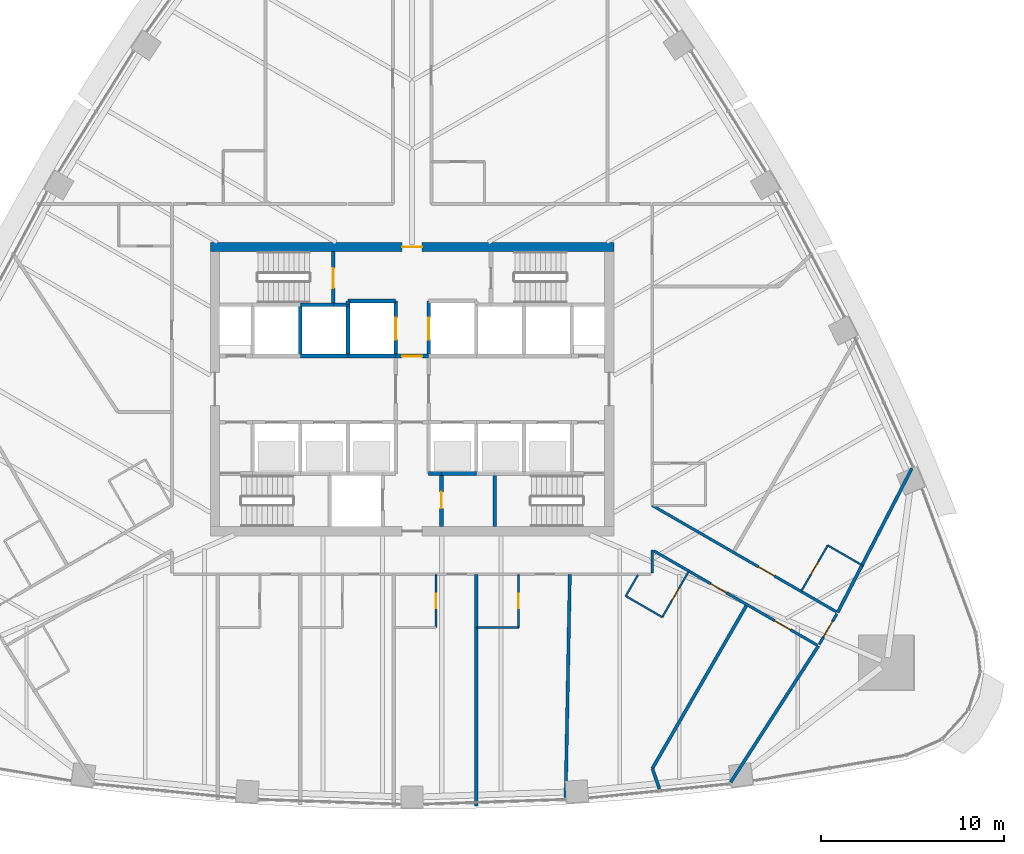
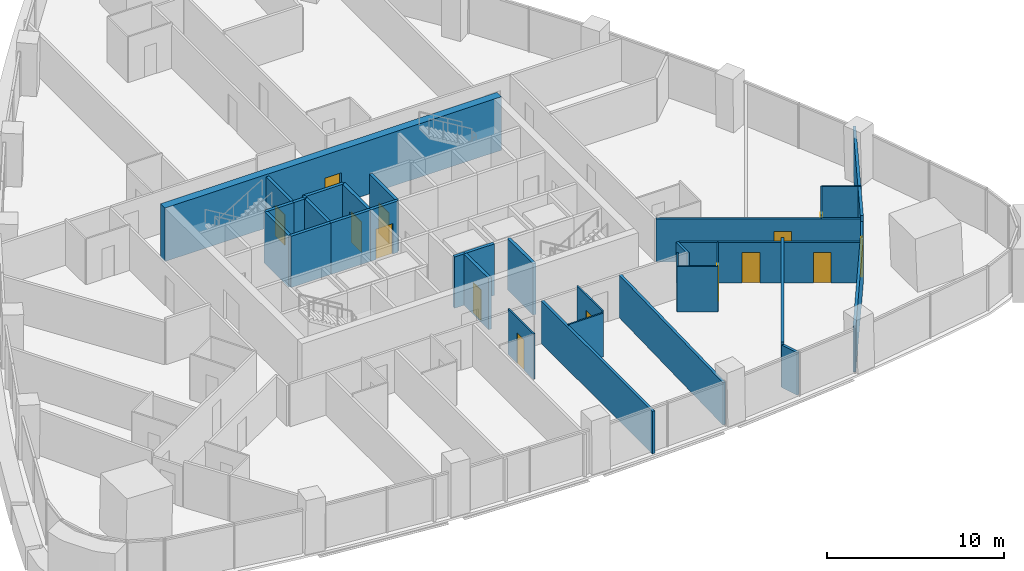
# One storey, part 11 of 17: 35 walls, 14 doors, 14 openings.
"""IFC4 building model written with IfcOpenShell, lengths in metres."""

import ifcopenshell
import ifcopenshell.guid

model = None  # the IFC model being written
_history = None  # IfcOwnerHistory: only IFC2X3 demands one
_inside = {}  # id of a spatial element -> (the spatial element, [elements in it])
_under = {}  # id of a project, library or spatial element -> (it, [spatial elements below it])
_declared = {}  # id of a project -> (the project, [libraries it declares])
_typed = {}  # id of a type object -> (the type object, [elements of that type])
_made_of = {}  # id of a material, layer set ... -> (it, [elements and type objects made of it])


def new_model(schema):
    """Start an empty IFC model of exactly this schema.

    Asked for "IFC4X3", IfcOpenShell would pick the latest addendum, in which some entities
    have other attributes; the version numbers below select the first issue.
    IFC2X3 requires an IfcOwnerHistory on every rooted entity: one is made here for all.
    """
    global model, _history
    if schema == "IFC4X3":
        model = ifcopenshell.file(schema_version=(4, 3, 0, 0))
    else:
        model = ifcopenshell.file(schema=schema)
    _inside.clear()
    _under.clear()
    _declared.clear()
    _typed.clear()
    _made_of.clear()
    _history = None
    if model.schema == "IFC2X3":
        org = make("IfcOrganization", Name="unknown")
        user = make(
            "IfcPersonAndOrganization",
            ThePerson=make("IfcPerson", FamilyName="unknown"),
            TheOrganization=org,
        )
        app = make(
            "IfcApplication",
            ApplicationDeveloper=org,
            Version="unknown",
            ApplicationFullName="unknown",
            ApplicationIdentifier="unknown",
        )
        _history = make(
            "IfcOwnerHistory",
            OwningUser=user,
            OwningApplication=app,
            ChangeAction="ADDED",
            CreationDate=0,
        )
    return model


def make(cls, **values):
    """One entity of the class cls with the attributes given. An attribute that is None is left unset."""
    return model.create_entity(
        cls, **{name: value for name, value in values.items() if value is not None}
    )


def rooted(cls, **values):
    """An entity with a GlobalId (a new one), such as an element, a storey or a relation."""
    return make(cls, GlobalId=ifcopenshell.guid.new(), OwnerHistory=_history, **values)


def si_unit(unit_type, name, prefix=None):
    """IfcSIUnit, for example si_unit("LENGTHUNIT", "METRE", prefix="MILLI")."""
    return make("IfcSIUnit", UnitType=unit_type, Prefix=prefix, Name=name)


def assignment(units):
    """IfcUnitAssignment: the units of a project."""
    return None if units is None else make("IfcUnitAssignment", Units=units)


def point(xyz):
    """IfcCartesianPoint."""
    return None if xyz is None else make("IfcCartesianPoint", Coordinates=xyz)


def direction(xyz):
    """IfcDirection."""
    return None if xyz is None else make("IfcDirection", DirectionRatios=xyz)


def frame(location, z_axis=None, x_axis=None):
    """IfcAxis2Placement3D, a coordinate frame: its origin and axes. An axis left out is left unset."""
    return make(
        "IfcAxis2Placement3D",
        Location=point(location),
        Axis=direction(z_axis),
        RefDirection=direction(x_axis),
    )


def frame_2d(location, x_axis=None):
    """IfcAxis2Placement2D, a coordinate frame in the plane: its origin and x axis."""
    return make(
        "IfcAxis2Placement2D", Location=point(location), RefDirection=direction(x_axis)
    )


def origin():
    """The frame at (0, 0, 0) with its axes left unset."""
    return frame((0.0, 0.0, 0.0))


def place(relative_to, where):
    """IfcLocalPlacement: puts the frame where relative to a parent placement (None: the world)."""
    return make(
        "IfcLocalPlacement", PlacementRelTo=relative_to, RelativePlacement=where
    )


def context(
    kind, dimensions, precision=None, world=None, true_north=None, identifier=None
):
    """IfcGeometricRepresentationContext, for example the 3D "Model" context."""
    return make(
        "IfcGeometricRepresentationContext",
        ContextIdentifier=identifier,
        ContextType=kind,
        CoordinateSpaceDimension=dimensions,
        Precision=precision,
        WorldCoordinateSystem=world,
        TrueNorth=true_north,
    )


def subcontext(parent, identifier, kind, view, scale=None):
    """IfcGeometricRepresentationSubContext, for example "Body" below "Model"."""
    return make(
        "IfcGeometricRepresentationSubContext",
        ContextIdentifier=identifier,
        ContextType=kind,
        ParentContext=parent,
        TargetScale=scale,
        TargetView=view,
    )


def project(units=None, contexts=None):
    """IfcProject with its units and contexts."""
    return rooted(
        "IfcProject",
        Name="project",
        RepresentationContexts=contexts,
        UnitsInContext=assignment(units),
    )


def spatial(cls, under=None, at=None, **own):
    """A site, building, storey or space (cls), placed at a placement, below another one or the project."""
    s = rooted(cls, ObjectPlacement=at, **own)
    if under is not None:
        _under.setdefault(under.id(), (under, []))[1].append(s)
    return s


def profile(cls, at=None, kind="AREA", **sizes):
    """A parametric profile (cls). Its sizes go by their IFC names, for example OverallWidth=200.0."""
    return make(cls, ProfileType=kind, Position=at, **sizes)


def rectangle(**sizes):
    """IfcRectangleProfileDef."""
    return profile("IfcRectangleProfileDef", **sizes)


def extrude(swept, where, along, depth):
    """IfcExtrudedAreaSolid: the profile swept, set in the frame where, extruded along a direction by depth."""
    return make(
        "IfcExtrudedAreaSolid",
        SweptArea=swept,
        Position=where,
        ExtrudedDirection=direction(along),
        Depth=depth,
    )


def shape(context_of_items, identifier, shape_type, items):
    """IfcShapeRepresentation: the items that make up one representation, for example the "Body"."""
    return make(
        "IfcShapeRepresentation",
        ContextOfItems=context_of_items,
        RepresentationIdentifier=identifier,
        RepresentationType=shape_type,
        Items=items,
    )


def material(Name=None, Category=None):
    """IfcMaterial."""
    return make("IfcMaterial", Name=Name, Category=Category)


def layer(
    of_material, thickness, ventilated=None, Name=None, Category=None, Priority=None
):
    """IfcMaterialLayer: one layer of a wall or slab, of a material (None: an air gap)."""
    return make(
        "IfcMaterialLayer",
        Material=of_material,
        LayerThickness=thickness,
        IsVentilated=ventilated,
        Name=Name,
        Category=Category,
        Priority=Priority,
    )


def layer_set(layers, Name=None):
    """IfcMaterialLayerSet."""
    return make("IfcMaterialLayerSet", MaterialLayers=layers, LayerSetName=Name)


def made_of(thing, what):
    """Note that an element or type object is made of a material, layer set ...; save() writes the relation."""
    if what is not None:
        _made_of.setdefault(what.id(), (what, []))[1].append(thing)
    return thing


def type_object(cls, material=None, **own):
    """A type object (cls), such as IfcWallType, which elements share."""
    return made_of(rooted(cls, **own), material)


def element(
    cls,
    number,
    at=None,
    inside=None,
    cuts=None,
    type_object=None,
    material=None,
    context=None,
    identifier="Body",
    shape_type=None,
    held_by="IfcProductDefinitionShape",
    body=None,
    shapes=None,
    **own,
):
    """One element of the class cls, such as IfcWall. Its Tag is "e" and its number.

    at: its placement. inside: the storey or other place that contains it. cuts: it is an
    opening in that element (IfcRelVoidsElement). A single representation is given by context,
    identifier, shape_type and body (its items); several are given by shapes. held_by: the class
    of the entity that holds the representations. save() writes the other relations.
    """
    e = rooted(cls, Tag="e%d" % number, ObjectPlacement=at, **own)
    if body is not None:
        shapes = [shape(context, identifier, shape_type, body)]
    if shapes is not None:
        e.Representation = make(held_by, Representations=shapes)
    if inside is not None:
        _inside.setdefault(inside.id(), (inside, []))[1].append(e)
    if cuts is not None:
        rooted(
            "IfcRelVoidsElement", RelatingBuildingElement=cuts, RelatedOpeningElement=e
        )
    if type_object is not None:
        _typed.setdefault(type_object.id(), (type_object, []))[1].append(e)
    return made_of(e, material)


def fill(opening, filler):
    """IfcRelFillsElement: the door or window that sits in an opening."""
    return rooted(
        "IfcRelFillsElement",
        RelatingOpeningElement=opening,
        RelatedBuildingElement=filler,
    )


def aggregate(whole, parts):
    """IfcRelAggregates: a whole, such as a stair, and the parts it consists of."""
    return rooted("IfcRelAggregates", RelatingObject=whole, RelatedObjects=parts)


def save(model, path):
    """Write the relations noted so far, then the file.

    IfcRelAggregates (storeys below a building ...), IfcRelContainedInSpatialStructure (elements
    in a storey), IfcRelDefinesByType, IfcRelAssociatesMaterial and IfcRelDeclares: one each for
    every whole, place, type object, material and project.
    """
    for whole, parts in _under.values():
        aggregate(whole, parts)
    for where, things in _inside.values():
        rooted(
            "IfcRelContainedInSpatialStructure",
            RelatedElements=things,
            RelatingStructure=where,
        )
    for kind, things in _typed.values():
        rooted("IfcRelDefinesByType", RelatedObjects=things, RelatingType=kind)
    for what, things in _made_of.values():
        rooted("IfcRelAssociatesMaterial", RelatedObjects=things, RelatingMaterial=what)
    for by, libraries in _declared.values():
        rooted("IfcRelDeclares", RelatingContext=by, RelatedDefinitions=libraries)
    model.write(path)


model = new_model("IFC4")

# Units and contexts
model_context = context("Model", 3, precision=1e-05, world=origin(), true_north=direction((0.0, 1.0)))
body_context = subcontext(model_context, "Body", "Model", "MODEL_VIEW")
ifc_project = project(units=[si_unit("LENGTHUNIT", "METRE"), si_unit("AREAUNIT", "SQUARE_METRE"), si_unit("VOLUMEUNIT", "CUBIC_METRE"), si_unit("PLANEANGLEUNIT", "RADIAN"), si_unit("MASSUNIT", "GRAM", prefix="KILO")], contexts=[model_context])

# Site, building, storey
site_placement = place(None, origin())
site = spatial("IfcSite", under=ifc_project, at=site_placement, CompositionType="ELEMENT")
building_placement = place(site_placement, origin())
building = spatial("IfcBuilding", under=site, at=building_placement, Name="Sierra Prisma Convention Tower", CompositionType="ELEMENT")
storey_placement = place(building_placement, frame((0.0, 0.0, 92.39990234375)))
storey = spatial("IfcBuildingStorey", under=building, at=storey_placement, Name="L19", CompositionType="ELEMENT", Elevation=92.39990234375)

# Wall, opening, door
ifc_material_1 = material(Name="Gypsum board partition", Category="gypsum")
ifc_layer_1 = layer(ifc_material_1, 0.10009765625)
ifc_layer_set_1 = layer_set([ifc_layer_1], Name="Bathroom partition 100")
wall_type_1 = type_object("IfcWallType", Name="Bathroom partition 100", PredefinedType="PARTITIONING", material=ifc_layer_set_1)
wall_1_placement = place(storey_placement, frame((1.300048828125, -10.1298828125, 0.0), z_axis=(0.0, 0.0, 1.0), x_axis=(0.0, -1.0, 0.0)))
wall_1 = element("IfcWall", 1, at=wall_1_placement, inside=storey, type_object=wall_type_1, Name="Partition L19 bath 19", PredefinedType="PARTITIONING", context=body_context, shape_type="SweptSolid", body=[
    extrude(rectangle(XDim=2.8701171875, YDim=0.10009765625, at=frame_2d((1.43505859375, 0.0))), origin(), (0.0, 0.0, 1.0), 3.150146484375),
])
opening_1_placement = place(wall_1_placement, frame((1.034912109375, 0.0, 0.0)))
opening_1 = element("IfcOpeningElement", 2, at=opening_1_placement, cuts=wall_1, Name="Opening L19-D010", PredefinedType="OPENING", context=body_context, shape_type="SweptSolid", body=[
    extrude(rectangle(XDim=0.800048828125, YDim=2.10009765625, at=frame_2d((0.39990234375, 1.050048828125))), frame((0.0, 0.050048828125, 0.0), z_axis=(0.0, -1.0, 0.0), x_axis=(1.0, 0.0, 0.0)), (0.0, 0.0, 1.0), 0.10009765625),
])
ifc_material_2 = material(Name="Solid core timber door leaf", Category="wood")
door_type_1 = type_object("IfcDoorType", Name="Door 800x2100 plain", OperationType="SINGLE_SWING_LEFT", PredefinedType="DOOR", material=ifc_material_2)
door_1_placement = place(opening_1_placement, origin())
door_1 = element("IfcDoor", 3, at=door_1_placement, inside=storey, type_object=door_type_1, Name="Door L19 23", OperationType="SINGLE_SWING_LEFT", OverallHeight=2.10009765625, OverallWidth=0.800048828125, PredefinedType="DOOR", context=body_context, shape_type="SweptSolid", body=[
    extrude(rectangle(XDim=0.800048828125, YDim=2.10009765625, at=frame_2d((0.39990234375, 1.050048828125))), frame((0.0, 0.02490234375, 0.0), z_axis=(0.0, -1.0, 0.0), x_axis=(1.0, 0.0, 0.0)), (0.0, 0.0, 1.0), 0.050048828125),
])
fill(opening_1, door_1)

wall_2_placement = place(storey_placement, frame((5.800048828125, -10.1298828125, 0.0), z_axis=(0.0, 0.0, 1.0), x_axis=(0.0, -1.0, 0.0)))
wall_2 = element("IfcWall", 4, at=wall_2_placement, inside=storey, type_object=wall_type_1, Name="Partition L19 bath 23", PredefinedType="PARTITIONING", context=body_context, shape_type="SweptSolid", body=[
    extrude(rectangle(XDim=2.8701171875, YDim=0.10009765625, at=frame_2d((1.43505859375, 0.0))), origin(), (0.0, 0.0, 1.0), 3.150146484375),
])
opening_2_placement = place(wall_2_placement, frame((1.034912109375, 0.0, 0.0)))
opening_2 = element("IfcOpeningElement", 5, at=opening_2_placement, cuts=wall_2, Name="Opening L19-D011", PredefinedType="OPENING", context=body_context, shape_type="SweptSolid", body=[
    extrude(rectangle(XDim=0.800048828125, YDim=2.10009765625, at=frame_2d((0.39990234375, 1.050048828125))), frame((0.0, 0.050048828125, 0.0), z_axis=(0.0, -1.0, 0.0), x_axis=(1.0, 0.0, 0.0)), (0.0, 0.0, 1.0), 0.10009765625),
])
door_2_placement = place(opening_2_placement, origin())
door_2 = element("IfcDoor", 6, at=door_2_placement, inside=storey, type_object=door_type_1, Name="Door L19 25", OperationType="SINGLE_SWING_RIGHT", OverallHeight=2.10009765625, OverallWidth=0.800048828125, PredefinedType="DOOR", context=body_context, shape_type="SweptSolid", body=[
    extrude(rectangle(XDim=0.800048828125, YDim=2.10009765625, at=frame_2d((0.39990234375, 1.050048828125))), frame((0.0, 0.02490234375, 0.0), z_axis=(0.0, -1.0, 0.0), x_axis=(1.0, 0.0, 0.0)), (0.0, 0.0, 1.0), 0.050048828125),
])
fill(opening_2, door_2)

# Wall
wall_3_placement = place(storey_placement, frame((5.800048828125, -13.0, 0.0), z_axis=(0.0, 0.0, 1.0), x_axis=(-1.0, 0.0, 0.0)))
element("IfcWall", 7, at=wall_3_placement, inside=storey, type_object=wall_type_1, Name="Partition L19 bath 24", PredefinedType="PARTITIONING", context=body_context, shape_type="SweptSolid", body=[
    extrude(rectangle(XDim=2.27001953125, YDim=0.10009765625, at=frame_2d((1.135009765625, 0.0))), origin(), (0.0, 0.0, 1.0), 3.01708984375),
])

# Wall, opening, door
wall_4_placement = place(storey_placement, frame((15.076904296875, -9.95166015625, 0.0), z_axis=(0.0, 0.0, 1.0), x_axis=(-0.499999802827, -0.866025517622, 0.0)))
wall_4 = element("IfcWall", 8, at=wall_4_placement, inside=storey, type_object=wall_type_1, Name="Partition L19 bath 25", PredefinedType="PARTITIONING", context=body_context, shape_type="SweptSolid", body=[
    extrude(rectangle(XDim=2.8701171875, YDim=0.10009765625, at=frame_2d((1.43505859375, 0.0))), origin(), (0.0, 0.0, 1.0), 2.797119140625),
])
opening_3_placement = place(wall_4_placement, frame((1.034912109375, 0.0, 0.0)))
opening_3 = element("IfcOpeningElement", 9, at=opening_3_placement, cuts=wall_4, Name="Opening L19-D012", PredefinedType="OPENING", context=body_context, shape_type="SweptSolid", body=[
    extrude(rectangle(XDim=0.800048828125, YDim=2.10009765625, at=frame_2d((0.39990234375, 1.050048828125))), frame((0.0, 0.050048828125, 0.0), z_axis=(0.0, -1.0, 0.0), x_axis=(1.0, 0.0, 0.0)), (0.0, 0.0, 1.0), 0.10009765625),
])
door_3_placement = place(opening_3_placement, origin())
door_3 = element("IfcDoor", 10, at=door_3_placement, inside=storey, type_object=door_type_1, Name="Door L19 27", OperationType="SINGLE_SWING_RIGHT", OverallHeight=2.10009765625, OverallWidth=0.800048828125, PredefinedType="DOOR", context=body_context, shape_type="SweptSolid", body=[
    extrude(rectangle(XDim=0.800048828125, YDim=2.10009765625, at=frame_2d((0.39990234375, 1.050048828125))), frame((0.0, 0.02490234375, 0.0), z_axis=(0.0, -1.0, 0.0), x_axis=(1.0, 0.0, 0.0)), (0.0, 0.0, 1.0), 0.050048828125),
])
fill(opening_3, door_3)

# Walls
wall_5_placement = place(storey_placement, frame((13.641845703125, -12.437255859375, 0.0), z_axis=(0.0, 0.0, 1.0), x_axis=(-0.866007057882, 0.500031774688, 0.0)))
element("IfcWall", 11, at=wall_5_placement, inside=storey, type_object=wall_type_1, Name="Partition L19 bath 26", PredefinedType="PARTITIONING", context=body_context, shape_type="SweptSolid", body=[
    extrude(rectangle(XDim=2.300048828125, YDim=0.10009765625, at=frame_2d((1.14990234375, 0.0))), origin(), (0.0, 0.0, 1.0), 3.150146484375),
])
wall_6_placement = place(storey_placement, frame((11.64990234375, -11.287109375, 0.0), z_axis=(0.0, 0.0, 1.0), x_axis=(0.500049290317, 0.865996944136, 0.0)))
element("IfcWall", 12, at=wall_6_placement, inside=storey, type_object=wall_type_1, Name="Partition L19 bath 27", PredefinedType="PARTITIONING", context=body_context, shape_type="SweptSolid", body=[
    extrude(rectangle(XDim=1.336181640625, YDim=0.10009765625, at=frame_2d((0.66796875, 0.0))), origin(), (0.0, 0.0, 1.0), 3.150146484375),
])

# Wall, opening, door
wall_7_placement = place(storey_placement, frame((21.228759765625, -11.009521484375, 0.0), z_axis=(0.0, 0.0, 1.0), x_axis=(0.499999802827, 0.866025517622, 0.0)))
wall_7 = element("IfcWall", 13, at=wall_7_placement, inside=storey, type_object=wall_type_1, Name="Partition L19 bath 31", PredefinedType="PARTITIONING", context=body_context, shape_type="SweptSolid", body=[
    extrude(rectangle(XDim=2.8701171875, YDim=0.10009765625, at=frame_2d((1.43505859375, 0.0))), origin(), (0.0, 0.0, 1.0), 3.150146484375),
])
opening_4_placement = place(wall_7_placement, frame((1.034912109375, 0.0, 0.0)))
opening_4 = element("IfcOpeningElement", 14, at=opening_4_placement, cuts=wall_7, Name="Opening L19-D013", PredefinedType="OPENING", context=body_context, shape_type="SweptSolid", body=[
    extrude(rectangle(XDim=0.800048828125, YDim=2.10009765625, at=frame_2d((0.39990234375, 1.050048828125))), frame((0.0, 0.050048828125, 0.0), z_axis=(0.0, -1.0, 0.0), x_axis=(1.0, 0.0, 0.0)), (0.0, 0.0, 1.0), 0.10009765625),
])
door_4_placement = place(opening_4_placement, origin())
door_4 = element("IfcDoor", 15, at=door_4_placement, inside=storey, type_object=door_type_1, Name="Door L19 31", OperationType="SINGLE_SWING_LEFT", OverallHeight=2.10009765625, OverallWidth=0.800048828125, PredefinedType="DOOR", context=body_context, shape_type="SweptSolid", body=[
    extrude(rectangle(XDim=0.800048828125, YDim=2.10009765625, at=frame_2d((0.39990234375, 1.050048828125))), frame((0.0, 0.02490234375, 0.0), z_axis=(0.0, -1.0, 0.0), x_axis=(1.0, 0.0, 0.0)), (0.0, 0.0, 1.0), 0.050048828125),
])
fill(opening_4, door_4)

# Walls
wall_8_placement = place(storey_placement, frame((22.663818359375, -8.52392578125, 0.0), z_axis=(0.0, 0.0, 1.0), x_axis=(0.866017224141, -0.500014167291, 0.0)))
element("IfcWall", 16, at=wall_8_placement, inside=storey, type_object=wall_type_1, Name="Partition L19 bath 32", PredefinedType="PARTITIONING", context=body_context, shape_type="SweptSolid", body=[
    extrude(rectangle(XDim=2.27001953125, YDim=0.10009765625, at=frame_2d((1.135009765625, 0.0))), origin(), (0.0, 0.0, 1.0), 3.150146484375),
])
ifc_material_3 = material(Name="Concrete C30/37", Category="concrete")
ifc_layer_2 = layer(ifc_material_3, 0.199951171875)
ifc_layer_set_2 = layer_set([ifc_layer_2], Name="Core wall RC 200 C30/37")
wall_type_2 = type_object("IfcWallType", Name="Core wall RC 200 C30/37", PredefinedType="SOLIDWALL", material=ifc_layer_set_2)
wall_9_placement = place(storey_placement, frame((-3.5, 1.800048828125, 0.0), z_axis=(0.0, 0.0, 1.0), x_axis=(-1.0, 0.0, 0.0)))
element("IfcWall", 17, at=wall_9_placement, inside=storey, type_object=wall_type_2, Name="Core wall L19 14", PredefinedType="SOLIDWALL", context=body_context, shape_type="SweptSolid", body=[
    extrude(rectangle(XDim=2.60009765625, YDim=0.199951171875, at=frame_2d((1.300048828125, 0.0))), origin(), (0.0, 0.0, 1.0), 3.550048828125),
])
wall_10_placement = place(storey_placement, frame((-6.10009765625, 1.800048828125, 0.0), z_axis=(0.0, 0.0, 1.0), x_axis=(0.0, 1.0, 0.0)))
element("IfcWall", 18, at=wall_10_placement, inside=storey, type_object=wall_type_2, Name="Core wall L19 15", PredefinedType="SOLIDWALL", context=body_context, shape_type="SweptSolid", body=[
    extrude(rectangle(XDim=2.800048828125, YDim=0.199951171875, at=frame_2d((1.39990234375, 0.0))), origin(), (0.0, 0.0, 1.0), 3.550048828125),
])
wall_11_placement = place(storey_placement, frame((-4.300048828125, 4.60009765625, 0.0), z_axis=(0.0, 0.0, 1.0), x_axis=(-1.0, 0.0, 0.0)))
element("IfcWall", 19, at=wall_11_placement, inside=storey, type_object=wall_type_2, Name="Core wall L19 16", PredefinedType="SOLIDWALL", context=body_context, shape_type="SweptSolid", body=[
    extrude(rectangle(XDim=1.800048828125, YDim=0.199951171875, at=frame_2d((0.89990234375, 0.0))), origin(), (0.0, 0.0, 1.0), 3.550048828125),
])
wall_12_placement = place(storey_placement, frame((-3.5, 4.60009765625, 0.0), z_axis=(0.0, 0.0, 1.0), x_axis=(-1.0, 0.0, 0.0)))
element("IfcWall", 20, at=wall_12_placement, inside=storey, type_object=wall_type_2, Name="Core wall L19 19", PredefinedType="SOLIDWALL", context=body_context, shape_type="SweptSolid", body=[
    extrude(rectangle(XDim=0.800048828125, YDim=0.199951171875, at=frame_2d((0.39990234375, 0.0))), origin(), (0.0, 0.0, 1.0), 3.550048828125),
])

# Wall, opening, door
wall_13_placement = place(storey_placement, frame((-4.300048828125, 4.60009765625, 0.0), z_axis=(0.0, 0.0, 1.0), x_axis=(0.0, 1.0, 0.0)))
wall_13 = element("IfcWall", 21, at=wall_13_placement, inside=storey, type_object=wall_type_2, Name="Core wall L19 20", PredefinedType="SOLIDWALL", context=body_context, shape_type="SweptSolid", body=[
    extrude(rectangle(XDim=2.89990234375, YDim=0.199951171875, at=frame_2d((1.449951171875, 0.0))), origin(), (0.0, 0.0, 1.0), 3.550048828125),
])
opening_5_placement = place(wall_13_placement, frame((0.89990234375, 0.0, 0.0)))
opening_5 = element("IfcOpeningElement", 22, at=opening_5_placement, cuts=wall_13, Name="Opening L19-D034", PredefinedType="OPENING", context=body_context, shape_type="SweptSolid", body=[
    extrude(rectangle(XDim=1.10009765625, YDim=2.10009765625, at=frame_2d((0.550048828125, 1.050048828125))), frame((0.0, 0.10009765625, 0.0), z_axis=(0.0, -1.0, 0.0), x_axis=(1.0, 0.0, 0.0)), (0.0, 0.0, 1.0), 0.199951171875),
])
ifc_material_4 = material(Name="Steel fire door leaf", Category="steel")
door_type_2 = type_object("IfcDoorType", Name="Door 1100x2100 FD90S", OperationType="SINGLE_SWING_LEFT", PredefinedType="DOOR", material=ifc_material_4)
door_5_placement = place(opening_5_placement, origin())
door_5 = element("IfcDoor", 23, at=door_5_placement, inside=storey, type_object=door_type_2, Name="Door L19 53", OperationType="SINGLE_SWING_RIGHT", OverallHeight=2.10009765625, OverallWidth=1.10009765625, PredefinedType="DOOR", context=body_context, shape_type="SweptSolid", body=[
    extrude(rectangle(XDim=1.10009765625, YDim=2.10009765625, at=frame_2d((0.550048828125, 1.050048828125))), frame((0.0, 0.02490234375, 0.0), z_axis=(0.0, -1.0, 0.0), x_axis=(1.0, 0.0, 0.0)), (0.0, 0.0, 1.0), 0.050048828125),
])
fill(opening_5, door_5)

# Walls
wall_14_placement = place(storey_placement, frame((-0.89990234375, 1.800048828125, 0.0), z_axis=(0.0, 0.0, 1.0), x_axis=(-1.0, 0.0, 0.0)))
element("IfcWall", 24, at=wall_14_placement, inside=storey, type_object=wall_type_2, Name="Core wall L19 24", PredefinedType="SOLIDWALL", context=body_context, shape_type="SweptSolid", body=[
    extrude(rectangle(XDim=2.60009765625, YDim=0.199951171875, at=frame_2d((1.300048828125, 0.0))), origin(), (0.0, 0.0, 1.0), 3.550048828125),
])
wall_15_placement = place(storey_placement, frame((-3.5, 4.60009765625, 0.0), z_axis=(0.0, 0.0, 1.0), x_axis=(0.0, -1.0, 0.0)))
element("IfcWall", 25, at=wall_15_placement, inside=storey, type_object=wall_type_2, Name="Core wall L19 25", PredefinedType="SOLIDWALL", context=body_context, shape_type="SweptSolid", body=[
    extrude(rectangle(XDim=2.800048828125, YDim=0.199951171875, at=frame_2d((1.39990234375, 0.0))), origin(), (0.0, 0.0, 1.0), 3.550048828125),
])

# Wall, opening, door
wall_16_placement = place(storey_placement, frame((-0.89990234375, 1.800048828125, 0.0), z_axis=(0.0, 0.0, 1.0), x_axis=(0.0, 1.0, 0.0)))
wall_16 = element("IfcWall", 26, at=wall_16_placement, inside=storey, type_object=wall_type_2, Name="Core wall L19 26", PredefinedType="SOLIDWALL", context=body_context, shape_type="SweptSolid", body=[
    extrude(rectangle(XDim=3.0, YDim=0.199951171875, at=frame_2d((1.5, 0.0))), origin(), (0.0, 0.0, 1.0), 3.550048828125),
])
opening_6_placement = place(wall_16_placement, frame((0.89990234375, 0.0, 0.0)))
opening_6 = element("IfcOpeningElement", 27, at=opening_6_placement, cuts=wall_16, Name="Opening L19-D021", PredefinedType="OPENING", context=body_context, shape_type="SweptSolid", body=[
    extrude(rectangle(XDim=1.199951171875, YDim=2.10009765625, at=frame_2d((0.60009765625, 1.050048828125))), frame((0.0, 0.10009765625, 0.0), z_axis=(0.0, -1.0, 0.0), x_axis=(1.0, 0.0, 0.0)), (0.0, 0.0, 1.0), 0.199951171875),
])
ifc_material_5 = material(Name="Steel fire door leaf", Category="steel")
door_type_3 = type_object("IfcDoorType", Name="Door 1200x2100 EI 90 sliding lift landing", OperationType="SLIDING_TO_LEFT", PredefinedType="DOOR", material=ifc_material_5)
door_6_placement = place(opening_6_placement, origin())
door_6 = element("IfcDoor", 28, at=door_6_placement, inside=storey, type_object=door_type_3, Name="Door L19 40", OperationType="SLIDING_TO_RIGHT", OverallHeight=2.10009765625, OverallWidth=1.199951171875, PredefinedType="DOOR", context=body_context, shape_type="SweptSolid", body=[
    extrude(rectangle(XDim=1.199951171875, YDim=2.10009765625, at=frame_2d((0.60009765625, 1.050048828125))), frame((0.0, 0.02490234375, 0.0), z_axis=(0.0, -1.0, 0.0), x_axis=(1.0, 0.0, 0.0)), (0.0, 0.0, 1.0), 0.050048828125),
])
fill(opening_6, door_6)

# Walls
wall_17_placement = place(storey_placement, frame((-0.89990234375, 4.800048828125, 0.0), z_axis=(0.0, 0.0, 1.0), x_axis=(-1.0, 0.0, 0.0)))
element("IfcWall", 29, at=wall_17_placement, inside=storey, type_object=wall_type_2, Name="Core wall L19 27", PredefinedType="SOLIDWALL", context=body_context, shape_type="SweptSolid", body=[
    extrude(rectangle(XDim=2.60009765625, YDim=0.199951171875, at=frame_2d((1.300048828125, 0.0))), origin(), (0.0, 0.0, 1.0), 3.550048828125),
])
wall_18_placement = place(storey_placement, frame((-3.5, 4.800048828125, 0.0), z_axis=(0.0, 0.0, 1.0), x_axis=(0.0, -1.0, 0.0)))
element("IfcWall", 30, at=wall_18_placement, inside=storey, type_object=wall_type_2, Name="Core wall L19 28", PredefinedType="SOLIDWALL", context=body_context, shape_type="SweptSolid", body=[
    extrude(rectangle(XDim=0.199951171875, YDim=0.199951171875, at=frame_2d((0.10009765625, 0.0))), origin(), (0.0, 0.0, 1.0), 3.550048828125),
])

# Wall, opening, door
wall_19_placement = place(storey_placement, frame((0.89990234375, 1.800048828125, 0.0), z_axis=(0.0, 0.0, 1.0), x_axis=(-1.0, 0.0, 0.0)))
wall_19 = element("IfcWall", 31, at=wall_19_placement, inside=storey, type_object=wall_type_2, Name="Core wall L19 34", PredefinedType="SOLIDWALL", context=body_context, shape_type="SweptSolid", body=[
    extrude(rectangle(XDim=1.7998046875, YDim=0.199951171875, at=frame_2d((0.89990234375, 0.0))), origin(), (0.0, 0.0, 1.0), 3.550048828125),
])
opening_7_placement = place(wall_19_placement, frame((0.35009765625, 0.0, 0.0)))
opening_7 = element("IfcOpeningElement", 32, at=opening_7_placement, cuts=wall_19, Name="Opening L19-D028", PredefinedType="OPENING", context=body_context, shape_type="SweptSolid", body=[
    extrude(rectangle(XDim=1.10009765625, YDim=2.10009765625, at=frame_2d((0.550048828125, 1.050048828125))), frame((0.0, 0.10009765625, 0.0), z_axis=(0.0, -1.0, 0.0), x_axis=(1.0, 0.0, 0.0)), (0.0, 0.0, 1.0), 0.199951171875),
])
ifc_material_6 = material(Name="Steel fire door leaf", Category="steel")
door_type_4 = type_object("IfcDoorType", Name="Door 1100x2100 FD60S", OperationType="SINGLE_SWING_LEFT", PredefinedType="DOOR", material=ifc_material_6)
door_7_placement = place(opening_7_placement, origin())
door_7 = element("IfcDoor", 33, at=door_7_placement, inside=storey, type_object=door_type_4, Name="Door L19 47", OperationType="SINGLE_SWING_RIGHT", OverallHeight=2.10009765625, OverallWidth=1.10009765625, PredefinedType="DOOR", context=body_context, shape_type="SweptSolid", body=[
    extrude(rectangle(XDim=1.10009765625, YDim=2.10009765625, at=frame_2d((0.550048828125, 1.050048828125))), frame((0.0, 0.02490234375, 0.0), z_axis=(0.0, -1.0, 0.0), x_axis=(1.0, 0.0, 0.0)), (0.0, 0.0, 1.0), 0.050048828125),
])
fill(opening_7, door_7)

# Wall
wall_20_placement = place(storey_placement, frame((0.89990234375, -4.60009765625, 0.0), z_axis=(0.0, 0.0, 1.0), x_axis=(1.0, 0.0, 0.0)))
element("IfcWall", 34, at=wall_20_placement, inside=storey, type_object=wall_type_2, Name="Core wall L19 38", PredefinedType="SOLIDWALL", context=body_context, shape_type="SweptSolid", body=[
    extrude(rectangle(XDim=0.7001953125, YDim=0.199951171875, at=frame_2d((0.35009765625, 0.0))), origin(), (0.0, 0.0, 1.0), 3.550048828125),
])

# Wall, opening, door
wall_21_placement = place(storey_placement, frame((0.89990234375, 4.800048828125, 0.0), z_axis=(0.0, 0.0, 1.0), x_axis=(0.0, -1.0, 0.0)))
wall_21 = element("IfcWall", 35, at=wall_21_placement, inside=storey, type_object=wall_type_2, Name="Core wall L19 42", PredefinedType="SOLIDWALL", context=body_context, shape_type="SweptSolid", body=[
    extrude(rectangle(XDim=3.0, YDim=0.199951171875, at=frame_2d((1.5, 0.0))), origin(), (0.0, 0.0, 1.0), 3.550048828125),
])
opening_8_placement = place(wall_21_placement, frame((0.89990234375, 0.0, 0.0)))
opening_8 = element("IfcOpeningElement", 36, at=opening_8_placement, cuts=wall_21, Name="Opening L19-D022", PredefinedType="OPENING", context=body_context, shape_type="SweptSolid", body=[
    extrude(rectangle(XDim=1.199951171875, YDim=2.10009765625, at=frame_2d((0.60009765625, 1.050048828125))), frame((0.0, 0.10009765625, 0.0), z_axis=(0.0, -1.0, 0.0), x_axis=(1.0, 0.0, 0.0)), (0.0, 0.0, 1.0), 0.199951171875),
])
door_8_placement = place(opening_8_placement, origin())
door_8 = element("IfcDoor", 37, at=door_8_placement, inside=storey, type_object=door_type_3, Name="Door L19 41", OperationType="SLIDING_TO_LEFT", OverallHeight=2.10009765625, OverallWidth=1.199951171875, PredefinedType="DOOR", context=body_context, shape_type="SweptSolid", body=[
    extrude(rectangle(XDim=1.199951171875, YDim=2.10009765625, at=frame_2d((0.60009765625, 1.050048828125))), frame((0.0, 0.02490234375, 0.0), z_axis=(0.0, -1.0, 0.0), x_axis=(1.0, 0.0, 0.0)), (0.0, 0.0, 1.0), 0.050048828125),
])
fill(opening_8, door_8)

wall_22_placement = place(storey_placement, frame((1.60009765625, -4.60009765625, 0.0), z_axis=(0.0, 0.0, 1.0), x_axis=(0.0, -1.0, 0.0)))
wall_22 = element("IfcWall", 38, at=wall_22_placement, inside=storey, type_object=wall_type_2, Name="Core wall L19 43", PredefinedType="SOLIDWALL", context=body_context, shape_type="SweptSolid", body=[
    extrude(rectangle(XDim=2.89990234375, YDim=0.199951171875, at=frame_2d((1.449951171875, 0.0))), origin(), (0.0, 0.0, 1.0), 3.550048828125),
])
opening_9_placement = place(wall_22_placement, frame((1.0, 0.0, 0.0)))
opening_9 = element("IfcOpeningElement", 39, at=opening_9_placement, cuts=wall_22, Name="Opening L19-D036", PredefinedType="OPENING", context=body_context, shape_type="SweptSolid", body=[
    extrude(rectangle(XDim=0.89990234375, YDim=2.10009765625, at=frame_2d((0.449951171875, 1.050048828125))), frame((0.0, 0.10009765625, 0.0), z_axis=(0.0, -1.0, 0.0), x_axis=(1.0, 0.0, 0.0)), (0.0, 0.0, 1.0), 0.199951171875),
])
ifc_material_7 = material(Name="Steel fire door leaf", Category="steel")
door_type_5 = type_object("IfcDoorType", Name="Door 900x2100 FD30S", OperationType="SINGLE_SWING_LEFT", PredefinedType="DOOR", material=ifc_material_7)
door_9_placement = place(opening_9_placement, origin())
door_9 = element("IfcDoor", 40, at=door_9_placement, inside=storey, type_object=door_type_5, Name="Door L19 55", OperationType="SINGLE_SWING_LEFT", OverallHeight=2.10009765625, OverallWidth=0.89990234375, PredefinedType="DOOR", context=body_context, shape_type="SweptSolid", body=[
    extrude(rectangle(XDim=0.89990234375, YDim=2.10009765625, at=frame_2d((0.449951171875, 1.050048828125))), frame((0.0, 0.02490234375, 0.0), z_axis=(0.0, -1.0, 0.0), x_axis=(1.0, 0.0, 0.0)), (0.0, 0.0, 1.0), 0.050048828125),
])
fill(opening_9, door_9)

# Walls
wall_23_placement = place(storey_placement, frame((3.5, -4.60009765625, 0.0), z_axis=(0.0, 0.0, 1.0), x_axis=(-1.0, 0.0, 0.0)))
element("IfcWall", 41, at=wall_23_placement, inside=storey, type_object=wall_type_2, Name="Core wall L19 44", PredefinedType="SOLIDWALL", context=body_context, shape_type="SweptSolid", body=[
    extrude(rectangle(XDim=1.89990234375, YDim=0.199951171875, at=frame_2d((0.949951171875, 0.0))), origin(), (0.0, 0.0, 1.0), 3.550048828125),
])
wall_24_placement = place(storey_placement, frame((4.5, -7.5, 0.0), z_axis=(0.0, 0.0, 1.0), x_axis=(0.0, 1.0, 0.0)))
element("IfcWall", 42, at=wall_24_placement, inside=storey, type_object=wall_type_2, Name="Core wall L19 53", PredefinedType="SOLIDWALL", context=body_context, shape_type="SweptSolid", body=[
    extrude(rectangle(XDim=2.89990234375, YDim=0.199951171875, at=frame_2d((1.449951171875, 0.0))), origin(), (0.0, 0.0, 1.0), 3.550048828125),
])

# Wall, opening, door
ifc_material_8 = material(Name="Concrete C60/75", Category="concrete")
ifc_layer_3 = layer(ifc_material_8, 0.5)
ifc_layer_set_3 = layer_set([ifc_layer_3], Name="Core wall RC 500 C60/75")
wall_type_3 = type_object("IfcWallType", Name="Core wall RC 500 C60/75", PredefinedType="SHEAR", material=ifc_layer_set_3)
wall_25_placement = place(storey_placement, frame((-11.0, 7.75, 0.0), z_axis=(0.0, 0.0, 1.0), x_axis=(1.0, 0.0, 0.0)))
wall_25 = element("IfcWall", 43, at=wall_25_placement, inside=storey, type_object=wall_type_3, Name="Core wall N L19", PredefinedType="SHEAR", context=body_context, shape_type="SweptSolid", body=[
    extrude(rectangle(XDim=22.0, YDim=0.5, at=frame_2d((11.0, 0.0))), origin(), (0.0, 0.0, 1.0), 3.7001953125),
])
opening_10_placement = place(wall_25_placement, frame((10.449951171875, 0.0, 0.0)))
opening_10 = element("IfcOpeningElement", 44, at=opening_10_placement, cuts=wall_25, Name="Opening L19-D057", PredefinedType="OPENING", context=body_context, shape_type="SweptSolid", body=[
    extrude(rectangle(XDim=1.10009765625, YDim=2.10009765625, at=frame_2d((0.550048828125, 1.050048828125))), frame((0.0, 0.25, 0.0), z_axis=(0.0, -1.0, 0.0), x_axis=(1.0, 0.0, 0.0)), (0.0, 0.0, 1.0), 0.5),
])
door_10_placement = place(opening_10_placement, origin())
door_10 = element("IfcDoor", 45, at=door_10_placement, inside=storey, type_object=door_type_4, Name="Door L19 58", OperationType="SINGLE_SWING_LEFT", OverallHeight=2.10009765625, OverallWidth=1.10009765625, PredefinedType="DOOR", context=body_context, shape_type="SweptSolid", body=[
    extrude(rectangle(XDim=1.10009765625, YDim=2.10009765625, at=frame_2d((0.550048828125, 1.050048828125))), frame((0.0, 0.02490234375, 0.0), z_axis=(0.0, -1.0, 0.0), x_axis=(1.0, 0.0, 0.0)), (0.0, 0.0, 1.0), 0.050048828125),
])
fill(opening_10, door_10)

# Wall
ifc_material_9 = material(Name="Gypsum board partition", Category="gypsum")
ifc_layer_4 = layer(ifc_material_9, 0.14990234375)
ifc_layer_set_4 = layer_set([ifc_layer_4], Name="Corridor wall 150 gypsum EI 60")
wall_type_4 = type_object("IfcWallType", Name="Corridor wall 150 gypsum EI 60", PredefinedType="PARTITIONING", material=ifc_layer_set_4)
wall_26_placement = place(storey_placement, frame((13.10009765625, -10.02001953125, 0.0), z_axis=(0.0, 0.0, 1.0), x_axis=(0.0, 1.0, 0.0)))
element("IfcWall", 46, at=wall_26_placement, inside=storey, type_object=wall_type_4, Name="Partition L19 corr 13", PredefinedType="PARTITIONING", context=body_context, shape_type="SweptSolid", body=[
    extrude(rectangle(XDim=1.244384765625, YDim=0.14990234375, at=frame_2d((0.6220703125, 0.0))), origin(), (0.0, 0.0, 1.0), 2.797119140625),
])

# Wall, openings, doors
wall_27_placement = place(storey_placement, frame((13.17919921875, -8.821533203125, 0.0), z_axis=(0.0, 0.0, 1.0), x_axis=(0.866025889145, -0.499999159329, 0.0)))
wall_27 = element("IfcWall", 47, at=wall_27_placement, inside=storey, type_object=wall_type_4, Name="Partition L19 corr 14", PredefinedType="PARTITIONING", context=body_context, shape_type="SweptSolid", body=[
    extrude(rectangle(XDim=10.28515625, YDim=0.14990234375, at=frame_2d((5.142578125, 0.0))), origin(), (0.0, 0.0, 1.0), 2.797119140625),
])
opening_11_placement = place(wall_27_placement, frame((3.586669921875, 0.0, 0.0)))
opening_11 = element("IfcOpeningElement", 48, at=opening_11_placement, cuts=wall_27, Name="Opening L19-D051", PredefinedType="OPENING", context=body_context, shape_type="SweptSolid", body=[
    extrude(rectangle(XDim=1.0, YDim=2.10009765625, at=frame_2d((0.5, 1.050048828125))), frame((0.0, 0.074951171875, 0.0), z_axis=(0.0, -1.0, 0.0), x_axis=(1.0, 0.0, 0.0)), (0.0, 0.0, 1.0), 0.14990234375),
])
opening_12_placement = place(wall_27_placement, frame((7.614990234375, 0.0, 0.0)))
opening_12 = element("IfcOpeningElement", 49, at=opening_12_placement, cuts=wall_27, Name="Opening L19-D052", PredefinedType="OPENING", context=body_context, shape_type="SweptSolid", body=[
    extrude(rectangle(XDim=1.0, YDim=2.10009765625, at=frame_2d((0.5, 1.050048828125))), frame((0.0, 0.074951171875, 0.0), z_axis=(0.0, -1.0, 0.0), x_axis=(1.0, 0.0, 0.0)), (0.0, 0.0, 1.0), 0.14990234375),
])
ifc_material_10 = material(Name="Steel fire door leaf", Category="steel")
door_type_6 = type_object("IfcDoorType", Name="Door 1000x2100 FD30S", OperationType="SINGLE_SWING_LEFT", PredefinedType="DOOR", material=ifc_material_10)
door_11_placement = place(opening_11_placement, origin())
door_11 = element("IfcDoor", 50, at=door_11_placement, inside=storey, type_object=door_type_6, Name="Door L19 26", OperationType="SINGLE_SWING_LEFT", OverallHeight=2.10009765625, OverallWidth=1.0, PredefinedType="DOOR", context=body_context, shape_type="SweptSolid", body=[
    extrude(rectangle(XDim=1.0, YDim=2.10009765625, at=frame_2d((0.5, 1.050048828125))), frame((0.0, 0.02490234375, 0.0), z_axis=(0.0, -1.0, 0.0), x_axis=(1.0, 0.0, 0.0)), (0.0, 0.0, 1.0), 0.050048828125),
])
fill(opening_11, door_11)
door_12_placement = place(opening_12_placement, origin())
door_12 = element("IfcDoor", 51, at=door_12_placement, inside=storey, type_object=door_type_6, Name="Door L19 28", OperationType="SINGLE_SWING_LEFT", OverallHeight=2.10009765625, OverallWidth=1.0, PredefinedType="DOOR", context=body_context, shape_type="SweptSolid", body=[
    extrude(rectangle(XDim=1.0, YDim=2.10009765625, at=frame_2d((0.5, 1.050048828125))), frame((0.0, 0.02490234375, 0.0), z_axis=(0.0, -1.0, 0.0), x_axis=(1.0, 0.0, 0.0)), (0.0, 0.0, 1.0), 0.050048828125),
])
fill(opening_12, door_12)

# Wall, opening, door
wall_28_placement = place(storey_placement, frame((23.136474609375, -12.145263671875, 0.0), z_axis=(0.0, 0.0, 1.0), x_axis=(-0.866028069402, 0.499995382986, 0.0)))
wall_28 = element("IfcWall", 52, at=wall_28_placement, inside=storey, type_object=wall_type_4, Name="Partition L19 corr 15", PredefinedType="PARTITIONING", context=body_context, shape_type="SweptSolid", body=[
    extrude(rectangle(XDim=11.5888671875, YDim=0.14990234375, at=frame_2d((5.79443359375, 0.0))), origin(), (0.0, 0.0, 1.0), 2.947021484375),
])
opening_13_placement = place(wall_28_placement, frame((3.904541015625, 0.0, 0.0)))
opening_13 = element("IfcOpeningElement", 53, at=opening_13_placement, cuts=wall_28, Name="Opening L19-D054", PredefinedType="OPENING", context=body_context, shape_type="SweptSolid", body=[
    extrude(rectangle(XDim=1.0, YDim=2.10009765625, at=frame_2d((0.5, 1.050048828125))), frame((0.0, 0.074951171875, 0.0), z_axis=(0.0, -1.0, 0.0), x_axis=(1.0, 0.0, 0.0)), (0.0, 0.0, 1.0), 0.14990234375),
])
door_13_placement = place(opening_13_placement, origin())
door_13 = element("IfcDoor", 54, at=door_13_placement, inside=storey, type_object=door_type_6, Name="Door L19 30", OperationType="SINGLE_SWING_LEFT", OverallHeight=2.10009765625, OverallWidth=1.0, PredefinedType="DOOR", context=body_context, shape_type="SweptSolid", body=[
    extrude(rectangle(XDim=1.0, YDim=2.10009765625, at=frame_2d((0.5, 1.050048828125))), frame((0.0, 0.02490234375, 0.0), z_axis=(0.0, -1.0, 0.0), x_axis=(1.0, 0.0, 0.0)), (0.0, 0.0, 1.0), 0.050048828125),
])
fill(opening_13, door_13)

wall_29_placement = place(storey_placement, frame((22.195556640625, -13.934814453125, 0.0), z_axis=(0.0, 0.0, 1.0), x_axis=(0.499969367985, 0.866043088465, 0.0)))
wall_29 = element("IfcWall", 55, at=wall_29_placement, inside=storey, type_object=wall_type_4, Name="Partition L19 corr 17", PredefinedType="PARTITIONING", context=body_context, shape_type="SweptSolid", body=[
    extrude(rectangle(XDim=1.93994140625, YDim=0.14990234375, at=frame_2d((0.969970703125, 0.0))), origin(), (0.0, 0.0, 1.0), 2.797119140625),
])
opening_14_placement = place(wall_29_placement, frame((0.469970703125, 0.0, 0.0)))
opening_14 = element("IfcOpeningElement", 56, at=opening_14_placement, cuts=wall_29, Name="Opening L19-D053", PredefinedType="OPENING", context=body_context, shape_type="SweptSolid", body=[
    extrude(rectangle(XDim=1.0, YDim=2.10009765625, at=frame_2d((0.5, 1.050048828125))), frame((0.0, 0.074951171875, 0.0), z_axis=(0.0, -1.0, 0.0), x_axis=(1.0, 0.0, 0.0)), (0.0, 0.0, 1.0), 0.14990234375),
])
door_14_placement = place(opening_14_placement, origin())
door_14 = element("IfcDoor", 57, at=door_14_placement, inside=storey, type_object=door_type_6, Name="Door L19 29", OperationType="SINGLE_SWING_RIGHT", OverallHeight=2.10009765625, OverallWidth=1.0, PredefinedType="DOOR", context=body_context, shape_type="SweptSolid", body=[
    extrude(rectangle(XDim=1.0, YDim=2.10009765625, at=frame_2d((0.5, 1.050048828125))), frame((0.0, 0.02490234375, 0.0), z_axis=(0.0, -1.0, 0.0), x_axis=(1.0, 0.0, 0.0)), (0.0, 0.0, 1.0), 0.050048828125),
])
fill(opening_14, door_14)

# Walls
ifc_material_11 = material(Name="Acoustic gypsum board partition", Category="gypsum")
ifc_layer_5 = layer(ifc_material_11, 0.175048828125)
ifc_layer_set_5 = layer_set([ifc_layer_5], Name="Guest room party wall 175 acoustic EI 60")
wall_type_5 = type_object("IfcWallType", Name="Guest room party wall 175 acoustic EI 60", PredefinedType="PARTITIONING", material=ifc_layer_set_5)
wall_30_placement = place(storey_placement, frame((3.5, -10.10009765625, 0.0), z_axis=(0.0, 0.0, 1.0), x_axis=(0.0, -1.0, 0.0)))
element("IfcWall", 58, at=wall_30_placement, inside=storey, type_object=wall_type_5, Name="Partition L19 hparty 13", PredefinedType="PARTITIONING", context=body_context, shape_type="SweptSolid", body=[
    extrude(rectangle(XDim=12.638427734375, YDim=0.175048828125, at=frame_2d((6.3193359375, 0.0))), origin(), (0.0, 0.0, 1.0), 2.93408203125),
])
wall_31_placement = place(storey_placement, frame((8.60009765625, -10.10009765625, 0.0), z_axis=(0.0, 0.0, 1.0), x_axis=(-0.018722408453, -0.999824720349, 0.0)))
element("IfcWall", 59, at=wall_31_placement, inside=storey, type_object=wall_type_5, Name="Partition L19 hparty 14", PredefinedType="PARTITIONING", context=body_context, shape_type="SweptSolid", body=[
    extrude(rectangle(XDim=12.179443359375, YDim=0.175048828125, at=frame_2d((6.08984375, 0.0))), origin(), (0.0, 0.0, 1.0), 2.93408203125),
])
wall_32_placement = place(storey_placement, frame((18.258544921875, -11.75390625, 0.0), z_axis=(0.0, 0.0, 1.0), x_axis=(-0.499994892108, -0.866028352807, 0.0)))
element("IfcWall", 60, at=wall_32_placement, inside=storey, type_object=wall_type_5, Name="Partition L19 hparty 16", PredefinedType="PARTITIONING", context=body_context, shape_type="SweptSolid", body=[
    extrude(rectangle(XDim=10.31689453125, YDim=0.175048828125, at=frame_2d((5.158447265625, 0.0))), origin(), (0.0, 0.0, 1.0), 3.093017578125),
])
wall_33_placement = place(storey_placement, frame((13.10009765625, -20.688720703125, 0.0), z_axis=(0.0, 0.0, 1.0), x_axis=(0.326346225929, -0.94525030591, 0.0)))
element("IfcWall", 61, at=wall_33_placement, inside=storey, type_object=wall_type_5, Name="Partition L19 hparty 17", PredefinedType="PARTITIONING", context=body_context, shape_type="SweptSolid", body=[
    extrude(rectangle(XDim=1.18505859375, YDim=0.175048828125, at=frame_2d((0.592529296875, 0.0))), origin(), (0.0, 0.0, 1.0), 2.93408203125),
])
wall_34_placement = place(storey_placement, frame((22.155517578125, -14.00390625, 0.0), z_axis=(0.0, 0.0, 1.0), x_axis=(-0.541052062042, -0.840989099906, 0.0)))
element("IfcWall", 62, at=wall_34_placement, inside=storey, type_object=wall_type_5, Name="Partition L19 hparty 22", PredefinedType="PARTITIONING", context=body_context, shape_type="SweptSolid", body=[
    extrude(rectangle(XDim=8.840576171875, YDim=0.175048828125, at=frame_2d((4.42041015625, 0.0))), origin(), (0.0, 0.0, 1.0), 3.150146484375),
])
wall_35_placement = place(storey_placement, frame((27.252685546875, -4.32568359375, 0.0), z_axis=(0.0, 0.0, 1.0), x_axis=(-0.457797857942, -0.889056309389, 0.0)))
element("IfcWall", 63, at=wall_35_placement, inside=storey, type_object=wall_type_5, Name="Partition L19 hparty 23", PredefinedType="PARTITIONING", context=body_context, shape_type="SweptSolid", body=[
    extrude(rectangle(XDim=8.84033203125, YDim=0.175048828125, at=frame_2d((4.420166015625, 0.0))), origin(), (0.0, 0.0, 1.0), 3.150146484375),
])

save(model, "model.ifc")
